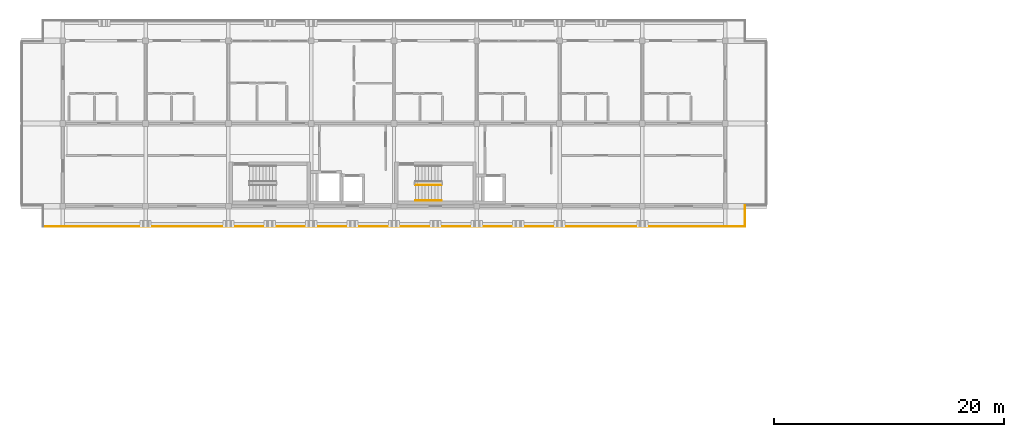
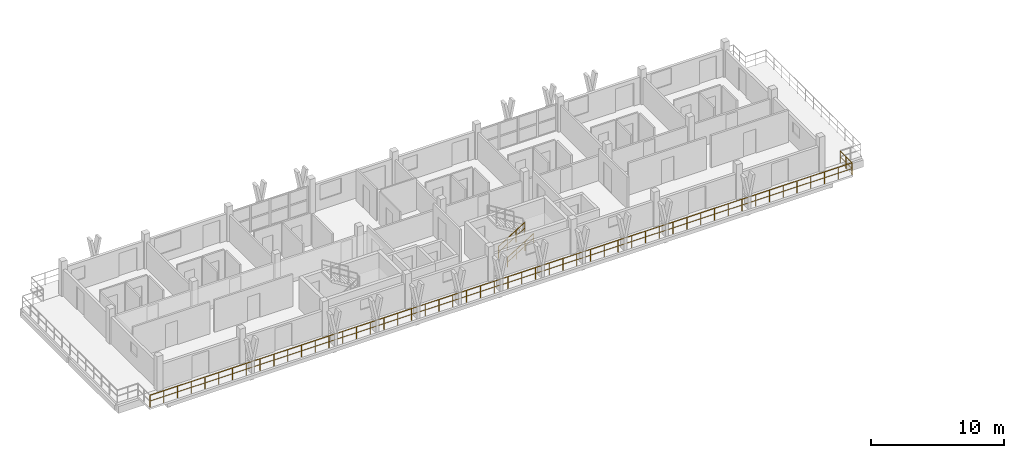
# One storey, part 29 of 32: 4 railings.
"""IFC4 building model written with IfcOpenShell, lengths in metres."""

from ifc_helpers import new_model, si_unit, direction, frame, origin, origin_2d, place, context, subcontext, project, spatial, rectangle, extrude, material, type_object, element, save


model = new_model("IFC4")

# Units and contexts
model_context = context("Model", 3, precision=1e-05, world=origin(), true_north=direction((0.0, 1.0)))
body_context = subcontext(model_context, "Body", "Model", "MODEL_VIEW")
ifc_project = project(units=[si_unit("LENGTHUNIT", "METRE"), si_unit("AREAUNIT", "SQUARE_METRE"), si_unit("VOLUMEUNIT", "CUBIC_METRE"), si_unit("PLANEANGLEUNIT", "RADIAN"), si_unit("MASSUNIT", "GRAM", prefix="KILO")], contexts=[model_context])

# Site, building, storey
site_placement = place(None, origin())
site = spatial("IfcSite", under=ifc_project, at=site_placement, CompositionType="ELEMENT")
building_placement = place(site_placement, origin())
building = spatial("IfcBuilding", under=site, at=building_placement, Name="Suanplinth Sawtooth Commons", CompositionType="ELEMENT")
storey_placement = place(building_placement, frame((0.0, 0.0, 41.199951171875)))
storey = spatial("IfcBuildingStorey", under=building, at=storey_placement, Name="L12", CompositionType="ELEMENT", Elevation=41.199951171875)

# Railings
ifc_material_1 = material(Name="Powder-coated galvanized steel", Category="steel")
railing_type_1 = type_object("IfcRailingType", Name="GR-01", PredefinedType="BALUSTRADE", material=ifc_material_1)
railing_1_placement = place(storey_placement, frame((88.139892578125, 108.06005859375, 0.0)))
element("IfcRailing", 1, at=railing_1_placement, inside=storey, type_object=railing_type_1, Name="L12 Block A Perimeter Balustrade 10", PredefinedType="BALUSTRADE", context=body_context, shape_type="SweptSolid", body=[
    extrude(rectangle(XDim=0.048095703125, YDim=0.048095703125, at=origin_2d()), frame((0.0, 0.0, 1.09619140625), z_axis=(0.0, -1.0, 0.0), x_axis=(1.0, 0.0, 0.0)), (0.0, 0.0, 1.0), 1.800048828125),
    extrude(rectangle(XDim=0.03369140625, YDim=0.03369140625, at=origin_2d()), frame((0.0, 0.0, 0.56005859375), z_axis=(0.0, -1.0, 0.0), x_axis=(1.0, 0.0, 0.0)), (0.0, 0.0, 1.0), 1.800048828125),
    extrude(rectangle(XDim=0.0419921875, YDim=0.0419921875, at=origin_2d()), origin(), (0.0, 0.0, 1.0), 1.072021484375),
    extrude(rectangle(XDim=0.0419921875, YDim=0.0419921875, at=origin_2d()), frame((0.0, -0.89990234375, 0.0)), (0.0, 0.0, 1.0), 1.072021484375),
    extrude(rectangle(XDim=0.0419921875, YDim=0.0419921875, at=origin_2d()), frame((0.0, -1.800048828125, 0.0)), (0.0, 0.0, 1.0), 1.072021484375),
])
railing_2_placement = place(storey_placement, frame((88.139892578125, 106.260009765625, 0.0)))
element("IfcRailing", 2, at=railing_2_placement, inside=storey, type_object=railing_type_1, Name="L12 Block A Perimeter Balustrade 11", PredefinedType="BALUSTRADE", context=body_context, shape_type="SweptSolid", body=[
    extrude(rectangle(XDim=0.048095703125, YDim=0.048095703125, at=origin_2d()), frame((0.0, 0.0, 1.09619140625), z_axis=(-1.0, 0.0, 0.0), x_axis=(0.0, -1.0, 0.0)), (0.0, 0.0, 1.0), 61.079833984375),
    extrude(rectangle(XDim=0.03369140625, YDim=0.03369140625, at=origin_2d()), frame((0.0, 0.0, 0.56005859375), z_axis=(-1.0, 0.0, 0.0), x_axis=(0.0, -1.0, 0.0)), (0.0, 0.0, 1.0), 61.079833984375),
    extrude(rectangle(XDim=0.0419921875, YDim=0.0419921875, at=origin_2d()), origin(), (0.0, 0.0, 1.0), 1.072021484375),
    extrude(rectangle(XDim=0.0419921875, YDim=0.0419921875, at=origin_2d()), frame((-1.19775390625, 0.0, 0.0)), (0.0, 0.0, 1.0), 1.072021484375),
    extrude(rectangle(XDim=0.0419921875, YDim=0.0419921875, at=origin_2d()), frame((-2.395263671875, 0.0, 0.0)), (0.0, 0.0, 1.0), 1.072021484375),
    extrude(rectangle(XDim=0.0419921875, YDim=0.0419921875, at=origin_2d()), frame((-3.593017578125, 0.0, 0.0)), (0.0, 0.0, 1.0), 1.072021484375),
    extrude(rectangle(XDim=0.0419921875, YDim=0.0419921875, at=origin_2d()), frame((-4.79052734375, 0.0, 0.0)), (0.0, 0.0, 1.0), 1.072021484375),
    extrude(rectangle(XDim=0.0419921875, YDim=0.0419921875, at=origin_2d()), frame((-5.98828125, 0.0, 0.0)), (0.0, 0.0, 1.0), 1.072021484375),
    extrude(rectangle(XDim=0.0419921875, YDim=0.0419921875, at=origin_2d()), frame((-7.185791015625, 0.0, 0.0)), (0.0, 0.0, 1.0), 1.072021484375),
    extrude(rectangle(XDim=0.0419921875, YDim=0.0419921875, at=origin_2d()), frame((-8.383544921875, 0.0, 0.0)), (0.0, 0.0, 1.0), 1.072021484375),
    extrude(rectangle(XDim=0.0419921875, YDim=0.0419921875, at=origin_2d()), frame((-9.5810546875, 0.0, 0.0)), (0.0, 0.0, 1.0), 1.072021484375),
    extrude(rectangle(XDim=0.0419921875, YDim=0.0419921875, at=origin_2d()), frame((-10.77880859375, 0.0, 0.0)), (0.0, 0.0, 1.0), 1.072021484375),
    extrude(rectangle(XDim=0.0419921875, YDim=0.0419921875, at=origin_2d()), frame((-11.976318359375, 0.0, 0.0)), (0.0, 0.0, 1.0), 1.072021484375),
    extrude(rectangle(XDim=0.0419921875, YDim=0.0419921875, at=origin_2d()), frame((-13.174072265625, 0.0, 0.0)), (0.0, 0.0, 1.0), 1.072021484375),
    extrude(rectangle(XDim=0.0419921875, YDim=0.0419921875, at=origin_2d()), frame((-14.371826171875, 0.0, 0.0)), (0.0, 0.0, 1.0), 1.072021484375),
    extrude(rectangle(XDim=0.0419921875, YDim=0.0419921875, at=origin_2d()), frame((-15.5693359375, 0.0, 0.0)), (0.0, 0.0, 1.0), 1.072021484375),
    extrude(rectangle(XDim=0.0419921875, YDim=0.0419921875, at=origin_2d()), frame((-16.76708984375, 0.0, 0.0)), (0.0, 0.0, 1.0), 1.072021484375),
    extrude(rectangle(XDim=0.0419921875, YDim=0.0419921875, at=origin_2d()), frame((-17.964599609375, 0.0, 0.0)), (0.0, 0.0, 1.0), 1.072021484375),
    extrude(rectangle(XDim=0.0419921875, YDim=0.0419921875, at=origin_2d()), frame((-19.162353515625, 0.0, 0.0)), (0.0, 0.0, 1.0), 1.072021484375),
    extrude(rectangle(XDim=0.0419921875, YDim=0.0419921875, at=origin_2d()), frame((-20.35986328125, 0.0, 0.0)), (0.0, 0.0, 1.0), 1.072021484375),
    extrude(rectangle(XDim=0.0419921875, YDim=0.0419921875, at=origin_2d()), frame((-21.5576171875, 0.0, 0.0)), (0.0, 0.0, 1.0), 1.072021484375),
    extrude(rectangle(XDim=0.0419921875, YDim=0.0419921875, at=origin_2d()), frame((-22.755126953125, 0.0, 0.0)), (0.0, 0.0, 1.0), 1.072021484375),
    extrude(rectangle(XDim=0.0419921875, YDim=0.0419921875, at=origin_2d()), frame((-23.952880859375, 0.0, 0.0)), (0.0, 0.0, 1.0), 1.072021484375),
    extrude(rectangle(XDim=0.0419921875, YDim=0.0419921875, at=origin_2d()), frame((-25.150634765625, 0.0, 0.0)), (0.0, 0.0, 1.0), 1.072021484375),
    extrude(rectangle(XDim=0.0419921875, YDim=0.0419921875, at=origin_2d()), frame((-26.34814453125, 0.0, 0.0)), (0.0, 0.0, 1.0), 1.072021484375),
    extrude(rectangle(XDim=0.0419921875, YDim=0.0419921875, at=origin_2d()), frame((-27.5458984375, 0.0, 0.0)), (0.0, 0.0, 1.0), 1.072021484375),
    extrude(rectangle(XDim=0.0419921875, YDim=0.0419921875, at=origin_2d()), frame((-28.743408203125, 0.0, 0.0)), (0.0, 0.0, 1.0), 1.072021484375),
    extrude(rectangle(XDim=0.0419921875, YDim=0.0419921875, at=origin_2d()), frame((-29.941162109375, 0.0, 0.0)), (0.0, 0.0, 1.0), 1.072021484375),
    extrude(rectangle(XDim=0.0419921875, YDim=0.0419921875, at=origin_2d()), frame((-31.138671875, 0.0, 0.0)), (0.0, 0.0, 1.0), 1.072021484375),
    extrude(rectangle(XDim=0.0419921875, YDim=0.0419921875, at=origin_2d()), frame((-32.33642578125, 0.0, 0.0)), (0.0, 0.0, 1.0), 1.072021484375),
    extrude(rectangle(XDim=0.0419921875, YDim=0.0419921875, at=origin_2d()), frame((-33.533935546875, 0.0, 0.0)), (0.0, 0.0, 1.0), 1.072021484375),
    extrude(rectangle(XDim=0.0419921875, YDim=0.0419921875, at=origin_2d()), frame((-34.731689453125, 0.0, 0.0)), (0.0, 0.0, 1.0), 1.072021484375),
    extrude(rectangle(XDim=0.0419921875, YDim=0.0419921875, at=origin_2d()), frame((-35.92919921875, 0.0, 0.0)), (0.0, 0.0, 1.0), 1.072021484375),
    extrude(rectangle(XDim=0.0419921875, YDim=0.0419921875, at=origin_2d()), frame((-37.126953125, 0.0, 0.0)), (0.0, 0.0, 1.0), 1.072021484375),
    extrude(rectangle(XDim=0.0419921875, YDim=0.0419921875, at=origin_2d()), frame((-38.32470703125, 0.0, 0.0)), (0.0, 0.0, 1.0), 1.072021484375),
    extrude(rectangle(XDim=0.0419921875, YDim=0.0419921875, at=origin_2d()), frame((-39.522216796875, 0.0, 0.0)), (0.0, 0.0, 1.0), 1.072021484375),
    extrude(rectangle(XDim=0.0419921875, YDim=0.0419921875, at=origin_2d()), frame((-40.719970703125, 0.0, 0.0)), (0.0, 0.0, 1.0), 1.072021484375),
    extrude(rectangle(XDim=0.0419921875, YDim=0.0419921875, at=origin_2d()), frame((-41.91748046875, 0.0, 0.0)), (0.0, 0.0, 1.0), 1.072021484375),
    extrude(rectangle(XDim=0.0419921875, YDim=0.0419921875, at=origin_2d()), frame((-43.115234375, 0.0, 0.0)), (0.0, 0.0, 1.0), 1.072021484375),
    extrude(rectangle(XDim=0.0419921875, YDim=0.0419921875, at=origin_2d()), frame((-44.312744140625, 0.0, 0.0)), (0.0, 0.0, 1.0), 1.072021484375),
    extrude(rectangle(XDim=0.0419921875, YDim=0.0419921875, at=origin_2d()), frame((-45.510498046875, 0.0, 0.0)), (0.0, 0.0, 1.0), 1.072021484375),
    extrude(rectangle(XDim=0.0419921875, YDim=0.0419921875, at=origin_2d()), frame((-46.7080078125, 0.0, 0.0)), (0.0, 0.0, 1.0), 1.072021484375),
    extrude(rectangle(XDim=0.0419921875, YDim=0.0419921875, at=origin_2d()), frame((-47.90576171875, 0.0, 0.0)), (0.0, 0.0, 1.0), 1.072021484375),
    extrude(rectangle(XDim=0.0419921875, YDim=0.0419921875, at=origin_2d()), frame((-49.103515625, 0.0, 0.0)), (0.0, 0.0, 1.0), 1.072021484375),
    extrude(rectangle(XDim=0.0419921875, YDim=0.0419921875, at=origin_2d()), frame((-50.301025390625, 0.0, 0.0)), (0.0, 0.0, 1.0), 1.072021484375),
    extrude(rectangle(XDim=0.0419921875, YDim=0.0419921875, at=origin_2d()), frame((-51.498779296875, 0.0, 0.0)), (0.0, 0.0, 1.0), 1.072021484375),
    extrude(rectangle(XDim=0.0419921875, YDim=0.0419921875, at=origin_2d()), frame((-52.6962890625, 0.0, 0.0)), (0.0, 0.0, 1.0), 1.072021484375),
    extrude(rectangle(XDim=0.0419921875, YDim=0.0419921875, at=origin_2d()), frame((-53.89404296875, 0.0, 0.0)), (0.0, 0.0, 1.0), 1.072021484375),
    extrude(rectangle(XDim=0.0419921875, YDim=0.0419921875, at=origin_2d()), frame((-55.091552734375, 0.0, 0.0)), (0.0, 0.0, 1.0), 1.072021484375),
    extrude(rectangle(XDim=0.0419921875, YDim=0.0419921875, at=origin_2d()), frame((-56.289306640625, 0.0, 0.0)), (0.0, 0.0, 1.0), 1.072021484375),
    extrude(rectangle(XDim=0.0419921875, YDim=0.0419921875, at=origin_2d()), frame((-57.48681640625, 0.0, 0.0)), (0.0, 0.0, 1.0), 1.072021484375),
    extrude(rectangle(XDim=0.0419921875, YDim=0.0419921875, at=origin_2d()), frame((-58.6845703125, 0.0, 0.0)), (0.0, 0.0, 1.0), 1.072021484375),
    extrude(rectangle(XDim=0.0419921875, YDim=0.0419921875, at=origin_2d()), frame((-59.882080078125, 0.0, 0.0)), (0.0, 0.0, 1.0), 1.072021484375),
    extrude(rectangle(XDim=0.0419921875, YDim=0.0419921875, at=origin_2d()), frame((-61.079833984375, 0.0, 0.0)), (0.0, 0.0, 1.0), 1.072021484375),
])
ifc_material_2 = material(Name="Stainless steel Grade 304", Category="steel")
railing_type_2 = type_object("IfcRailingType", Name="GR-04", PredefinedType="GUARDRAIL", material=ifc_material_2)
railing_3_placement = place(storey_placement, frame((59.449951171875, 109.85009765625, 0.177734375)))
element("IfcRailing", 3, at=railing_3_placement, inside=storey, type_object=railing_type_2, Name="L12 ST-N2 Guard 1", PredefinedType="GUARDRAIL", context=body_context, shape_type="SweptSolid", body=[
    extrude(rectangle(XDim=0.048095703125, YDim=0.048095703125, at=origin_2d()), frame((0.0, 0.0, 1.076171875), z_axis=(0.848442045328, 0.0, 0.529288291689), x_axis=(0.0, 1.0, 0.0)), (0.0, 0.0, 1.0), 2.687255859375),
    extrude(rectangle(XDim=0.03369140625, YDim=0.03369140625, at=origin_2d()), frame((0.0, 0.0, 0.550048828125), z_axis=(0.848442045328, 0.0, 0.529288291689), x_axis=(0.0, 1.0, 0.0)), (0.0, 0.0, 1.0), 2.687255859375),
    extrude(rectangle(XDim=0.0419921875, YDim=0.0419921875, at=origin_2d()), origin(), (0.0, 0.0, 1.0), 1.052001953125),
    extrude(rectangle(XDim=0.0419921875, YDim=0.0419921875, at=origin_2d()), frame((0.760009765625, 0.0, 0.47412109375)), (0.0, 0.0, 1.0), 1.052001953125),
    extrude(rectangle(XDim=0.0419921875, YDim=0.0419921875, at=origin_2d()), frame((1.52001953125, 0.0, 0.9482421875)), (0.0, 0.0, 1.0), 1.052001953125),
    extrude(rectangle(XDim=0.0419921875, YDim=0.0419921875, at=origin_2d()), frame((2.280029296875, 0.0, 1.42236328125)), (0.0, 0.0, 1.0), 1.052001953125),
])
railing_type_3 = type_object("IfcRailingType", Name="HR-01", PredefinedType="HANDRAIL", material=ifc_material_2)
railing_4_placement = place(storey_placement, frame((59.449951171875, 108.5, 0.177734375)))
element("IfcRailing", 4, at=railing_4_placement, inside=storey, type_object=railing_type_3, Name="L12 ST-N2 Handrail 1", PredefinedType="HANDRAIL", context=body_context, shape_type="SweptSolid", body=[
    extrude(rectangle(XDim=0.048095703125, YDim=0.048095703125, at=origin_2d()), frame((0.0, 0.0, 0.8759765625), z_axis=(0.848442045328, 0.0, 0.529288291689), x_axis=(0.0, 1.0, 0.0)), (0.0, 0.0, 1.0), 2.687255859375),
    extrude(rectangle(XDim=0.03369140625, YDim=0.03369140625, at=origin_2d()), frame((0.0, 0.0, 0.449951171875), z_axis=(0.848442045328, 0.0, 0.529288291689), x_axis=(0.0, 1.0, 0.0)), (0.0, 0.0, 1.0), 2.687255859375),
    extrude(rectangle(XDim=0.0419921875, YDim=0.0419921875, at=origin_2d()), origin(), (0.0, 0.0, 1.0), 0.851806640625),
    extrude(rectangle(XDim=0.0419921875, YDim=0.0419921875, at=origin_2d()), frame((0.760009765625, 0.0, 0.47412109375)), (0.0, 0.0, 1.0), 0.851806640625),
    extrude(rectangle(XDim=0.0419921875, YDim=0.0419921875, at=origin_2d()), frame((1.52001953125, 0.0, 0.9482421875)), (0.0, 0.0, 1.0), 0.851806640625),
    extrude(rectangle(XDim=0.0419921875, YDim=0.0419921875, at=origin_2d()), frame((2.280029296875, 0.0, 1.42236328125)), (0.0, 0.0, 1.0), 0.851806640625),
])

save(model, "model.ifc")
